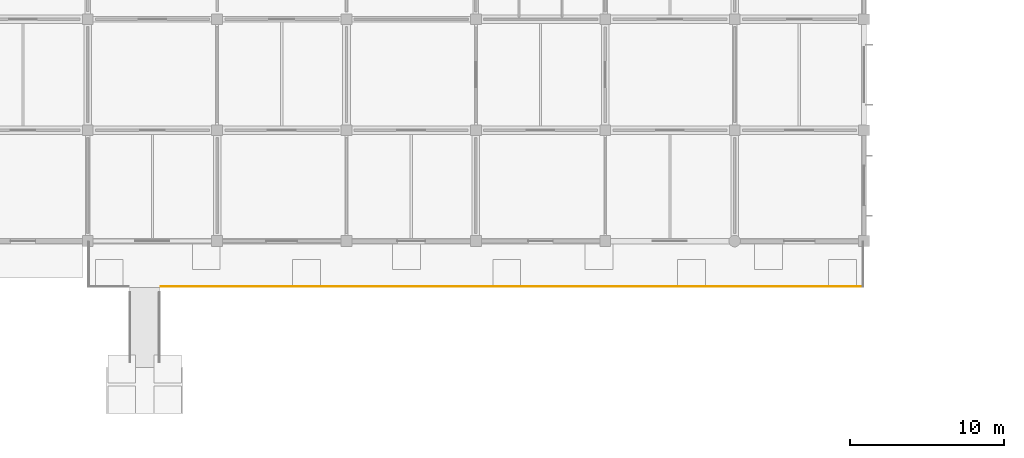
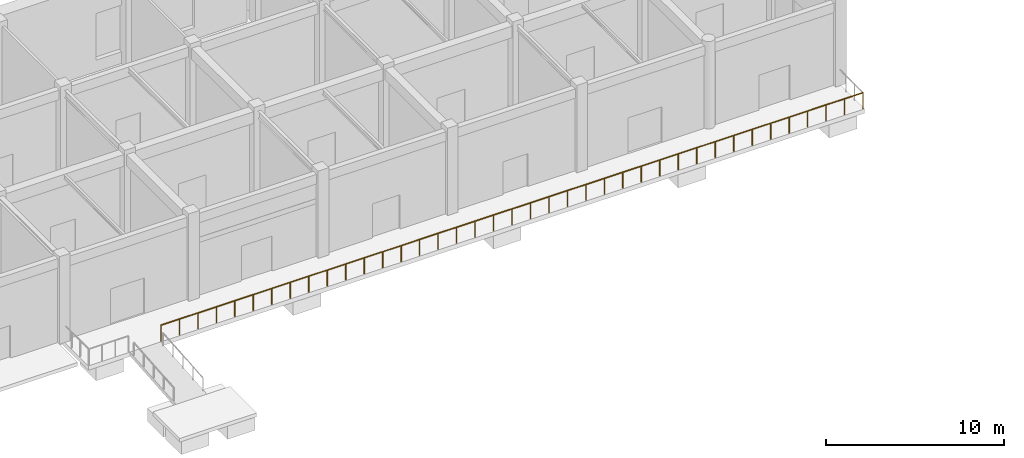
# One storey, part 30 of 39: 1 railing.
"""IFC4 building model written with IfcOpenShell, lengths in metres."""

from ifc_helpers import new_model, si_unit, derived_unit, direction, frame, origin, origin_2d, place, context, subcontext, project, spatial, circle, extrude, material, layer, layer_set, type_object, element, save


model = new_model("IFC4")

# Units and contexts
model_context = context("Model", 3, precision=1e-05, world=origin(), true_north=direction((0.0, 1.0)))
body_context = subcontext(model_context, "Body", "Model", "MODEL_VIEW")
ifc_project = project(units=[si_unit("LENGTHUNIT", "METRE"), si_unit("AREAUNIT", "SQUARE_METRE"), si_unit("VOLUMEUNIT", "CUBIC_METRE"), si_unit("PLANEANGLEUNIT", "RADIAN"), si_unit("MASSUNIT", "GRAM", prefix="KILO"), derived_unit("THERMALTRANSMITTANCEUNIT", [(si_unit("MASSUNIT", "GRAM", prefix="KILO"), 1), (si_unit("TIMEUNIT", "SECOND"), -3), (si_unit("THERMODYNAMICTEMPERATUREUNIT", "KELVIN"), -1)])], contexts=[model_context])

# Site, building, storey
site_placement = place(None, origin())
site = spatial("IfcSite", under=ifc_project, at=site_placement, CompositionType="ELEMENT")
building_placement = place(site_placement, origin())
building = spatial("IfcBuilding", under=site, at=building_placement, Name="Veldstrom Oceanarium and Marine Research Institute", CompositionType="ELEMENT")
storey_placement = place(building_placement, origin())
storey = spatial("IfcBuildingStorey", under=building, at=storey_placement, Name="L00", CompositionType="ELEMENT", Elevation=0.0)

# Railing
ifc_material = material(Name="Duplex Stainless Steel Balustrade", Category="steel")
ifc_layer = layer(ifc_material, 0.06005859375)
ifc_layer_set = layer_set([ifc_layer], Name="ARC-RLG-GR1")
railing_type = type_object("IfcRailingType", Name="ARC-RLG-GR1", PredefinedType="GUARDRAIL", material=ifc_layer_set)
railing_placement = place(storey_placement, frame((21.550048828125, -2.93994140625, 0.0)))
element("IfcRailing", 1, at=railing_placement, inside=storey, type_object=railing_type, Name="Forecourt Plaza South Guardrail East", PredefinedType="GUARDRAIL", context=body_context, shape_type="SweptSolid", body=[
    extrude(circle(Radius=0.02392578125, at=origin_2d()), frame((0.0, 0.0, 1.09619140625), z_axis=(1.0, 0.0, 0.0), x_axis=(0.0, 1.0, 0.0)), (0.0, 0.0, 1.0), 45.58984375),
    extrude(circle(Radius=0.02099609375, at=origin_2d()), origin(), (0.0, 0.0, 1.0), 1.072021484375),
    extrude(circle(Radius=0.02099609375, at=origin_2d()), frame((1.19970703125, 0.0, 0.0)), (0.0, 0.0, 1.0), 1.072021484375),
    extrude(circle(Radius=0.02099609375, at=origin_2d()), frame((2.3994140625, 0.0, 0.0)), (0.0, 0.0, 1.0), 1.072021484375),
    extrude(circle(Radius=0.02099609375, at=origin_2d()), frame((3.59912109375, 0.0, 0.0)), (0.0, 0.0, 1.0), 1.072021484375),
    extrude(circle(Radius=0.02099609375, at=origin_2d()), frame((4.798828125, 0.0, 0.0)), (0.0, 0.0, 1.0), 1.072021484375),
    extrude(circle(Radius=0.02099609375, at=origin_2d()), frame((5.998779296875, 0.0, 0.0)), (0.0, 0.0, 1.0), 1.072021484375),
    extrude(circle(Radius=0.02099609375, at=origin_2d()), frame((7.198486328125, 0.0, 0.0)), (0.0, 0.0, 1.0), 1.072021484375),
    extrude(circle(Radius=0.02099609375, at=origin_2d()), frame((8.398193359375, 0.0, 0.0)), (0.0, 0.0, 1.0), 1.072021484375),
    extrude(circle(Radius=0.02099609375, at=origin_2d()), frame((9.597900390625, 0.0, 0.0)), (0.0, 0.0, 1.0), 1.072021484375),
    extrude(circle(Radius=0.02099609375, at=origin_2d()), frame((10.797607421875, 0.0, 0.0)), (0.0, 0.0, 1.0), 1.072021484375),
    extrude(circle(Radius=0.02099609375, at=origin_2d()), frame((11.997314453125, 0.0, 0.0)), (0.0, 0.0, 1.0), 1.072021484375),
    extrude(circle(Radius=0.02099609375, at=origin_2d()), frame((13.197021484375, 0.0, 0.0)), (0.0, 0.0, 1.0), 1.072021484375),
    extrude(circle(Radius=0.02099609375, at=origin_2d()), frame((14.396728515625, 0.0, 0.0)), (0.0, 0.0, 1.0), 1.072021484375),
    extrude(circle(Radius=0.02099609375, at=origin_2d()), frame((15.596435546875, 0.0, 0.0)), (0.0, 0.0, 1.0), 1.072021484375),
    extrude(circle(Radius=0.02099609375, at=origin_2d()), frame((16.796142578125, 0.0, 0.0)), (0.0, 0.0, 1.0), 1.072021484375),
    extrude(circle(Radius=0.02099609375, at=origin_2d()), frame((17.99609375, 0.0, 0.0)), (0.0, 0.0, 1.0), 1.072021484375),
    extrude(circle(Radius=0.02099609375, at=origin_2d()), frame((19.19580078125, 0.0, 0.0)), (0.0, 0.0, 1.0), 1.072021484375),
    extrude(circle(Radius=0.02099609375, at=origin_2d()), frame((20.3955078125, 0.0, 0.0)), (0.0, 0.0, 1.0), 1.072021484375),
    extrude(circle(Radius=0.02099609375, at=origin_2d()), frame((21.59521484375, 0.0, 0.0)), (0.0, 0.0, 1.0), 1.072021484375),
    extrude(circle(Radius=0.02099609375, at=origin_2d()), frame((22.794921875, 0.0, 0.0)), (0.0, 0.0, 1.0), 1.072021484375),
    extrude(circle(Radius=0.02099609375, at=origin_2d()), frame((23.99462890625, 0.0, 0.0)), (0.0, 0.0, 1.0), 1.072021484375),
    extrude(circle(Radius=0.02099609375, at=origin_2d()), frame((25.1943359375, 0.0, 0.0)), (0.0, 0.0, 1.0), 1.072021484375),
    extrude(circle(Radius=0.02099609375, at=origin_2d()), frame((26.39404296875, 0.0, 0.0)), (0.0, 0.0, 1.0), 1.072021484375),
    extrude(circle(Radius=0.02099609375, at=origin_2d()), frame((27.59375, 0.0, 0.0)), (0.0, 0.0, 1.0), 1.072021484375),
    extrude(circle(Radius=0.02099609375, at=origin_2d()), frame((28.793701171875, 0.0, 0.0)), (0.0, 0.0, 1.0), 1.072021484375),
    extrude(circle(Radius=0.02099609375, at=origin_2d()), frame((29.993408203125, 0.0, 0.0)), (0.0, 0.0, 1.0), 1.072021484375),
    extrude(circle(Radius=0.02099609375, at=origin_2d()), frame((31.193115234375, 0.0, 0.0)), (0.0, 0.0, 1.0), 1.072021484375),
    extrude(circle(Radius=0.02099609375, at=origin_2d()), frame((32.392822265625, 0.0, 0.0)), (0.0, 0.0, 1.0), 1.072021484375),
    extrude(circle(Radius=0.02099609375, at=origin_2d()), frame((33.592529296875, 0.0, 0.0)), (0.0, 0.0, 1.0), 1.072021484375),
    extrude(circle(Radius=0.02099609375, at=origin_2d()), frame((34.792236328125, 0.0, 0.0)), (0.0, 0.0, 1.0), 1.072021484375),
    extrude(circle(Radius=0.02099609375, at=origin_2d()), frame((35.991943359375, 0.0, 0.0)), (0.0, 0.0, 1.0), 1.072021484375),
    extrude(circle(Radius=0.02099609375, at=origin_2d()), frame((37.191650390625, 0.0, 0.0)), (0.0, 0.0, 1.0), 1.072021484375),
    extrude(circle(Radius=0.02099609375, at=origin_2d()), frame((38.391357421875, 0.0, 0.0)), (0.0, 0.0, 1.0), 1.072021484375),
    extrude(circle(Radius=0.02099609375, at=origin_2d()), frame((39.591064453125, 0.0, 0.0)), (0.0, 0.0, 1.0), 1.072021484375),
    extrude(circle(Radius=0.02099609375, at=origin_2d()), frame((40.791015625, 0.0, 0.0)), (0.0, 0.0, 1.0), 1.072021484375),
    extrude(circle(Radius=0.02099609375, at=origin_2d()), frame((41.99072265625, 0.0, 0.0)), (0.0, 0.0, 1.0), 1.072021484375),
    extrude(circle(Radius=0.02099609375, at=origin_2d()), frame((43.1904296875, 0.0, 0.0)), (0.0, 0.0, 1.0), 1.072021484375),
    extrude(circle(Radius=0.02099609375, at=origin_2d()), frame((44.39013671875, 0.0, 0.0)), (0.0, 0.0, 1.0), 1.072021484375),
    extrude(circle(Radius=0.02099609375, at=origin_2d()), frame((45.58984375, 0.0, 0.0)), (0.0, 0.0, 1.0), 1.072021484375),
])

save(model, "model.ifc")
